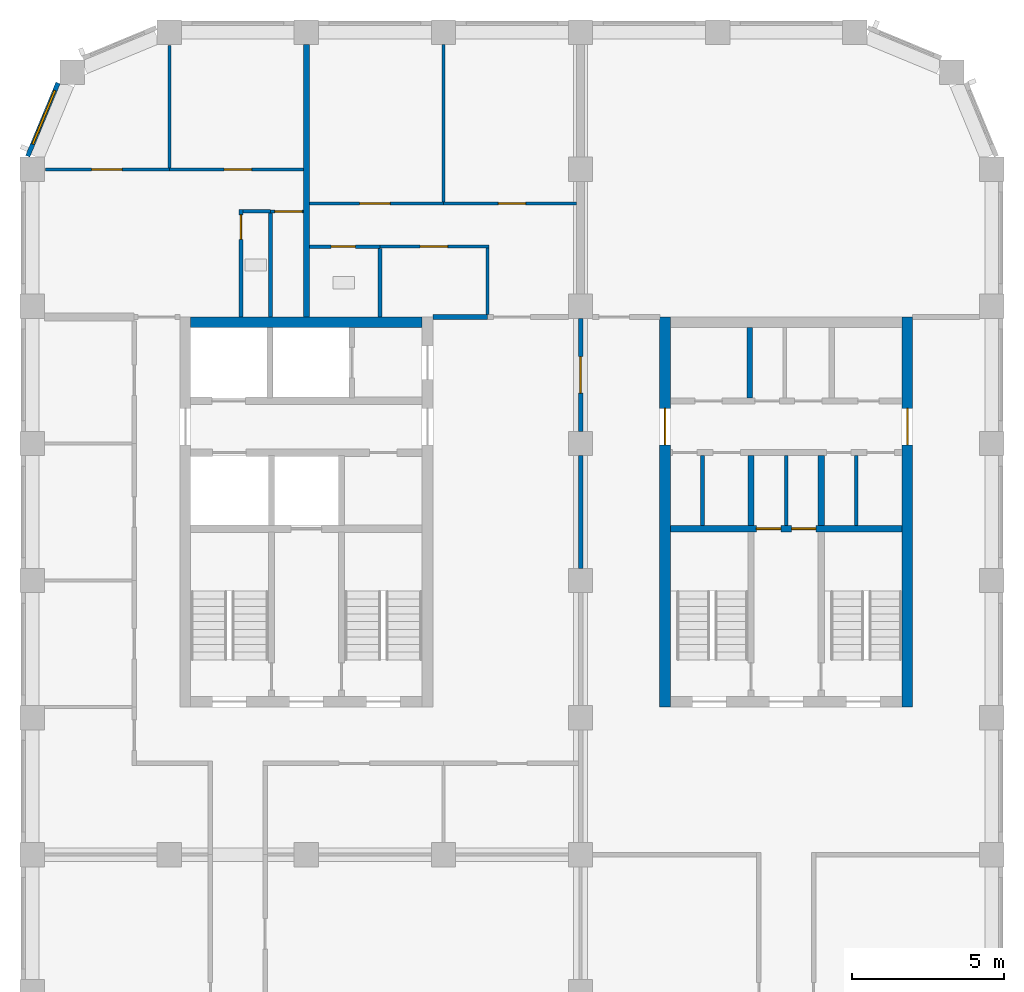
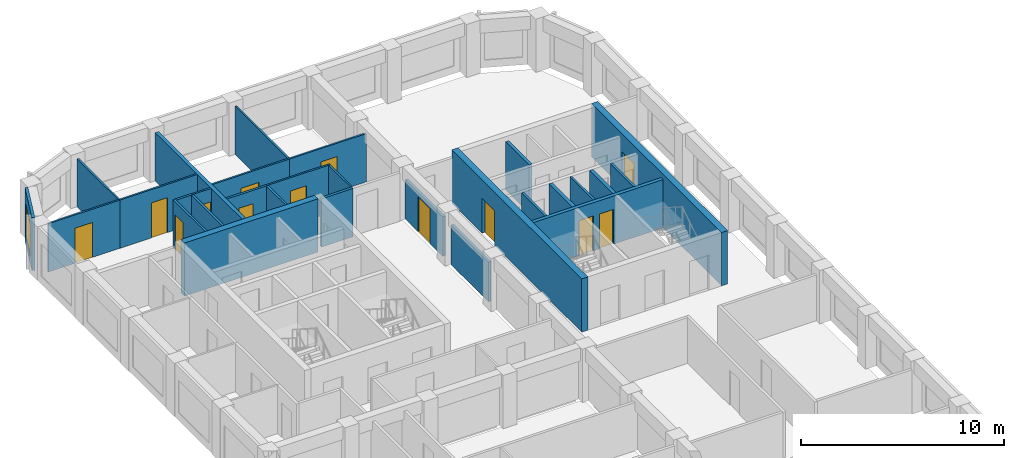
# One storey, part 6 of 10: 29 walls, 13 doors, 1 window, 14 openings.
"""IFC4 building model written with IfcOpenShell, lengths in metres."""

from ifc_helpers import new_model, si_unit, direction, frame, frame_2d, origin, place, context, subcontext, project, spatial, rectangle, extrude, material, layer, layer_set, type_object, element, fill, save


model = new_model("IFC4")

# Units and contexts
model_context = context("Model", 3, precision=1e-05, world=origin(), true_north=direction((0.0, 1.0)))
body_context = subcontext(model_context, "Body", "Model", "MODEL_VIEW")
ifc_project = project(units=[si_unit("LENGTHUNIT", "METRE"), si_unit("AREAUNIT", "SQUARE_METRE"), si_unit("VOLUMEUNIT", "CUBIC_METRE"), si_unit("PLANEANGLEUNIT", "RADIAN"), si_unit("MASSUNIT", "GRAM", prefix="KILO")], contexts=[model_context])

# Site, building, storey
site_placement = place(None, origin())
site = spatial("IfcSite", under=ifc_project, at=site_placement, CompositionType="ELEMENT")
building_placement = place(site_placement, origin())
building = spatial("IfcBuilding", under=site, at=building_placement, Name="Girih Gate Residences", CompositionType="ELEMENT")
storey_placement = place(building_placement, frame((0.0, 0.0, 229.294921875)))
storey = spatial("IfcBuildingStorey", under=building, at=storey_placement, Name="L64", CompositionType="ELEMENT", Elevation=229.294921875)

# Walls
ifc_material_1 = material(Name="Gypsum board on steel studs", Category="steel")
ifc_layer_1 = layer(ifc_material_1, 0.14990234375)
ifc_layer_set_1 = layer_set([ifc_layer_1], Name="Compartment wall 150 mm")
wall_type_1 = type_object("IfcWallType", Name="Compartment wall 150 mm", PredefinedType="PARTITIONING", material=ifc_layer_set_1)
wall_1_placement = place(storey_placement, frame((13.14990234375, 40.14990234375, 0.0), z_axis=(0.0, 0.0, 1.0), x_axis=(1.0, 0.0, 0.0)))
element("IfcWall", 1, at=wall_1_placement, inside=storey, type_object=wall_type_1, Name="L64 partition", PredefinedType="PARTITIONING", context=body_context, shape_type="SweptSolid", body=[
    extrude(rectangle(XDim=1.800048828125, YDim=0.14990234375, at=frame_2d((0.89990234375, 0.0))), origin(), (0.0, 0.0, 1.0), 2.900146484375),
])
wall_2_placement = place(storey_placement, frame((18.0, 31.89990234375, 0.0), z_axis=(0.0, 0.0, 1.0), x_axis=(0.0, 1.0, 0.0)))
element("IfcWall", 2, at=wall_2_placement, inside=storey, type_object=wall_type_1, Name="L64 partition", PredefinedType="PARTITIONING", context=body_context, shape_type="SweptSolid", body=[
    extrude(rectangle(XDim=3.7001953125, YDim=0.14990234375, at=frame_2d((1.85009765625, 0.0))), origin(), (0.0, 0.0, 1.0), 2.380126953125),
])

# Wall, opening, door
wall_3_placement = place(storey_placement, frame((18.0, 40.10009765625, 0.0), z_axis=(0.0, 0.0, 1.0), x_axis=(0.0, -1.0, 0.0)))
wall_3 = element("IfcWall", 3, at=wall_3_placement, inside=storey, type_object=wall_type_1, Name="L64 partition", PredefinedType="PARTITIONING", context=body_context, shape_type="SweptSolid", body=[
    extrude(rectangle(XDim=3.7001953125, YDim=0.14990234375, at=frame_2d((1.85009765625, 0.0))), origin(), (0.0, 0.0, 1.0), 2.380126953125),
])
opening_1_placement = place(wall_3_placement, frame((1.25, 0.0, 0.0)))
opening_1 = element("IfcOpeningElement", 4, at=opening_1_placement, cuts=wall_3, Name="Opening A64-026", PredefinedType="OPENING", context=body_context, shape_type="SweptSolid", body=[
    extrude(rectangle(XDim=1.199951171875, YDim=2.10009765625, at=frame_2d((0.60009765625, 1.050048828125))), frame((0.0, 0.0849609375, 0.0), z_axis=(0.0, -1.0, 0.0), x_axis=(1.0, 0.0, 0.0)), (0.0, 0.0, 1.0), 0.169921875),
])
ifc_material_2 = material(Name="Timber, fire-rated core", Category="wood")
door_type_1 = type_object("IfcDoorType", Name="Corridor fire door 1200x2100 FD30S", OperationType="NOTDEFINED", PredefinedType="DOOR", material=ifc_material_2)
door_1_placement = place(opening_1_placement, origin())
door_1 = element("IfcDoor", 5, at=door_1_placement, inside=storey, type_object=door_type_1, Name="Door A64-026", OperationType="SINGLE_SWING_LEFT", OverallHeight=2.10009765625, OverallWidth=1.199951171875, PredefinedType="DOOR", context=body_context, shape_type="SweptSolid", body=[
    extrude(rectangle(XDim=1.199951171875, YDim=2.10009765625, at=frame_2d((0.60009765625, 1.050048828125))), frame((0.0, 0.02490234375, 0.0), z_axis=(0.0, -1.0, 0.0), x_axis=(1.0, 0.0, 0.0)), (0.0, 0.0, 1.0), 0.050048828125),
])
fill(opening_1, door_1)

# Wall
ifc_material_3 = material(Name="Concrete C60/75", Category="concrete")
ifc_layer_2 = layer(ifc_material_3, 0.35009765625)
ifc_layer_set_2 = layer_set([ifc_layer_2], Name="Core wall RC 350 Concrete C60/75")
wall_type_2 = type_object("IfcWallType", Name="Core wall RC 350 Concrete C60/75", PredefinedType="SOLIDWALL", material=ifc_layer_set_2)
wall_4_placement = place(storey_placement, frame((5.199951171875, 39.97509765625, 0.0), z_axis=(0.0, 0.0, 1.0), x_axis=(1.0, 0.0, 0.0)))
element("IfcWall", 6, at=wall_4_placement, inside=storey, type_object=wall_type_2, Name="Core wall W-N L64", PredefinedType="SOLIDWALL", context=body_context, shape_type="SweptSolid", body=[
    extrude(rectangle(XDim=7.60009765625, YDim=0.35009765625, at=frame_2d((3.800048828125, 0.0))), origin(), (0.0, 0.0, 1.0), 3.2001953125),
])

# Wall, opening, door
ifc_layer_3 = layer(ifc_material_1, 0.10009765625)
ifc_layer_set_3 = layer_set([ifc_layer_3], Name="Partition 100 mm")
wall_type_3 = type_object("IfcWallType", Name="Partition 100 mm", PredefinedType="PARTITIONING", material=ifc_layer_set_3)
wall_5_placement = place(storey_placement, frame((4.5, 45.0, 0.0), z_axis=(0.0, 0.0, 1.0), x_axis=(1.0, 0.0, 0.0)))
wall_5 = element("IfcWall", 7, at=wall_5_placement, inside=storey, type_object=wall_type_3, Name="L64 partition", PredefinedType="PARTITIONING", context=body_context, shape_type="SweptSolid", body=[
    extrude(rectangle(XDim=4.39990234375, YDim=0.10009765625, at=frame_2d((2.199951171875, 0.0))), origin(), (0.0, 0.0, 1.0), 2.900146484375),
])
opening_2_placement = place(wall_5_placement, frame((1.800048828125, 0.0, 0.0)))
opening_2 = element("IfcOpeningElement", 8, at=opening_2_placement, cuts=wall_5, Name="Opening A64-009", PredefinedType="OPENING", context=body_context, shape_type="SweptSolid", body=[
    extrude(rectangle(XDim=0.89990234375, YDim=2.10009765625, at=frame_2d((0.449951171875, 1.050048828125))), frame((0.0, 0.06005859375, 0.0), z_axis=(0.0, -1.0, 0.0), x_axis=(1.0, 0.0, 0.0)), (0.0, 0.0, 1.0), 0.1201171875),
])
ifc_material_4 = material(Name="Timber", Category="wood")
door_type_2 = type_object("IfcDoorType", Name="Bedroom door 900x2100", OperationType="NOTDEFINED", PredefinedType="DOOR", material=ifc_material_4)
door_2_placement = place(opening_2_placement, origin())
door_2 = element("IfcDoor", 9, at=door_2_placement, inside=storey, type_object=door_type_2, Name="Door A64-009", OperationType="SINGLE_SWING_RIGHT", OverallHeight=2.10009765625, OverallWidth=0.89990234375, PredefinedType="DOOR", context=body_context, shape_type="SweptSolid", body=[
    extrude(rectangle(XDim=0.89990234375, YDim=2.10009765625, at=frame_2d((0.449951171875, 1.050048828125))), frame((0.0, 0.02490234375, 0.0), z_axis=(0.0, -1.0, 0.0), x_axis=(1.0, 0.0, 0.0)), (0.0, 0.0, 1.0), 0.050048828125),
])
fill(opening_2, door_2)

# Wall
wall_6_placement = place(storey_placement, frame((4.5, 45.050048828125, 0.0), z_axis=(0.0, 0.0, 1.0), x_axis=(0.0, 1.0, 0.0)))
element("IfcWall", 10, at=wall_6_placement, inside=storey, type_object=wall_type_3, Name="L64 partition", PredefinedType="PARTITIONING", context=body_context, shape_type="SweptSolid", body=[
    extrude(rectangle(XDim=4.01708984375, YDim=0.10009765625, at=frame_2d((2.008544921875, 0.0))), origin(), (0.0, 0.0, 1.0), 2.900146484375),
])

# Wall, opening, door
wall_7_placement = place(storey_placement, frame((8.89990234375, 43.6201171875, 0.0), z_axis=(0.0, 0.0, 1.0), x_axis=(-1.0, 0.0, 0.0)))
wall_7 = element("IfcWall", 11, at=wall_7_placement, inside=storey, type_object=wall_type_3, Name="L64 partition", PredefinedType="PARTITIONING", context=body_context, shape_type="SweptSolid", body=[
    extrude(rectangle(XDim=1.072509765625, YDim=0.10009765625, at=frame_2d((0.5361328125, 0.0))), origin(), (0.0, 0.0, 1.0), 2.900146484375),
])
opening_3_placement = place(wall_7_placement, frame((0.036376953125, 0.0, 0.0)))
opening_3 = element("IfcOpeningElement", 12, at=opening_3_placement, cuts=wall_7, Name="Opening A64-010", PredefinedType="OPENING", context=body_context, shape_type="SweptSolid", body=[
    extrude(rectangle(XDim=0.89990234375, YDim=2.10009765625, at=frame_2d((0.449951171875, 1.050048828125))), frame((0.0, 0.06005859375, 0.0), z_axis=(0.0, -1.0, 0.0), x_axis=(1.0, 0.0, 0.0)), (0.0, 0.0, 1.0), 0.1201171875),
])
door_type_3 = type_object("IfcDoorType", Name="Kitchen door 900x2100", OperationType="NOTDEFINED", PredefinedType="DOOR", material=ifc_material_4)
door_3_placement = place(opening_3_placement, origin())
door_3 = element("IfcDoor", 13, at=door_3_placement, inside=storey, type_object=door_type_3, Name="Door A64-010", OperationType="SINGLE_SWING_LEFT", OverallHeight=2.10009765625, OverallWidth=0.89990234375, PredefinedType="DOOR", context=body_context, shape_type="SweptSolid", body=[
    extrude(rectangle(XDim=0.89990234375, YDim=2.10009765625, at=frame_2d((0.449951171875, 1.050048828125))), frame((0.0, 0.02490234375, 0.0), z_axis=(0.0, -1.0, 0.0), x_axis=(1.0, 0.0, 0.0)), (0.0, 0.0, 1.0), 0.050048828125),
])
fill(opening_3, door_3)

wall_8_placement = place(storey_placement, frame((0.432861328125, 45.0, 0.0), z_axis=(0.0, 0.0, 1.0), x_axis=(1.0, 0.0, 0.0)))
wall_8 = element("IfcWall", 14, at=wall_8_placement, inside=storey, type_object=wall_type_3, Name="L64 partition", PredefinedType="PARTITIONING", context=body_context, shape_type="SweptSolid", body=[
    extrude(rectangle(XDim=4.067138671875, YDim=0.10009765625, at=frame_2d((2.03369140625, 0.0))), origin(), (0.0, 0.0, 1.0), 2.900146484375),
])
opening_4_placement = place(wall_8_placement, frame((1.51708984375, 0.0, 0.0)))
opening_4 = element("IfcOpeningElement", 15, at=opening_4_placement, cuts=wall_8, Name="Opening A64-011", PredefinedType="OPENING", context=body_context, shape_type="SweptSolid", body=[
    extrude(rectangle(XDim=1.0, YDim=2.10009765625, at=frame_2d((0.5, 1.050048828125))), frame((0.0, 0.06005859375, 0.0), z_axis=(0.0, -1.0, 0.0), x_axis=(1.0, 0.0, 0.0)), (0.0, 0.0, 1.0), 0.1201171875),
])
door_type_4 = type_object("IfcDoorType", Name="Living room door 1000x2100", OperationType="NOTDEFINED", PredefinedType="DOOR", material=ifc_material_4)
door_4_placement = place(opening_4_placement, origin())
door_4 = element("IfcDoor", 16, at=door_4_placement, inside=storey, type_object=door_type_4, Name="Door A64-011", OperationType="SINGLE_SWING_LEFT", OverallHeight=2.10009765625, OverallWidth=1.0, PredefinedType="DOOR", context=body_context, shape_type="SweptSolid", body=[
    extrude(rectangle(XDim=1.0, YDim=2.10009765625, at=frame_2d((0.5, 1.050048828125))), frame((0.0, 0.02490234375, 0.0), z_axis=(0.0, -1.0, 0.0), x_axis=(1.0, 0.0, 0.0)), (0.0, 0.0, 1.0), 0.050048828125),
])
fill(opening_4, door_4)

wall_9_placement = place(storey_placement, frame((13.5, 43.8798828125, 0.0), z_axis=(0.0, 0.0, 1.0), x_axis=(1.0, 0.0, 0.0)))
wall_9 = element("IfcWall", 17, at=wall_9_placement, inside=storey, type_object=wall_type_3, Name="L64 partition", PredefinedType="PARTITIONING", context=body_context, shape_type="SweptSolid", body=[
    extrude(rectangle(XDim=4.375, YDim=0.10009765625, at=frame_2d((2.1875, 0.0))), origin(), (0.0, 0.0, 1.0), 2.900146484375),
])
opening_5_placement = place(wall_9_placement, frame((1.800048828125, 0.0, 0.0)))
opening_5 = element("IfcOpeningElement", 18, at=opening_5_placement, cuts=wall_9, Name="Opening A64-014", PredefinedType="OPENING", context=body_context, shape_type="SweptSolid", body=[
    extrude(rectangle(XDim=0.89990234375, YDim=2.10009765625, at=frame_2d((0.449951171875, 1.050048828125))), frame((0.0, 0.06005859375, 0.0), z_axis=(0.0, -1.0, 0.0), x_axis=(1.0, 0.0, 0.0)), (0.0, 0.0, 1.0), 0.1201171875),
])
door_5_placement = place(opening_5_placement, origin())
door_5 = element("IfcDoor", 19, at=door_5_placement, inside=storey, type_object=door_type_2, Name="Door A64-014", OperationType="SINGLE_SWING_RIGHT", OverallHeight=2.10009765625, OverallWidth=0.89990234375, PredefinedType="DOOR", context=body_context, shape_type="SweptSolid", body=[
    extrude(rectangle(XDim=0.89990234375, YDim=2.10009765625, at=frame_2d((0.449951171875, 1.050048828125))), frame((0.0, 0.02490234375, 0.0), z_axis=(0.0, -1.0, 0.0), x_axis=(1.0, 0.0, 0.0)), (0.0, 0.0, 1.0), 0.050048828125),
])
fill(opening_5, door_5)

# Walls
wall_10_placement = place(storey_placement, frame((13.5, 43.929931640625, 0.0), z_axis=(0.0, 0.0, 1.0), x_axis=(0.0, 1.0, 0.0)))
element("IfcWall", 20, at=wall_10_placement, inside=storey, type_object=wall_type_3, Name="L64 partition", PredefinedType="PARTITIONING", context=body_context, shape_type="SweptSolid", body=[
    extrude(rectangle(XDim=5.170166015625, YDim=0.10009765625, at=frame_2d((2.5849609375, 0.0))), origin(), (0.0, 0.0, 1.0), 2.900146484375),
])
wall_11_placement = place(storey_placement, frame((14.949951171875, 40.22509765625, 0.0), z_axis=(0.0, 0.0, 1.0), x_axis=(0.0, 1.0, 0.0)))
element("IfcWall", 21, at=wall_11_placement, inside=storey, type_object=wall_type_3, Name="L64 partition", PredefinedType="PARTITIONING", context=body_context, shape_type="SweptSolid", body=[
    extrude(rectangle(XDim=2.184814453125, YDim=0.10009765625, at=frame_2d((1.09228515625, 0.0))), origin(), (0.0, 0.0, 1.0), 2.900146484375),
])

# Wall, opening, door
wall_12_placement = place(storey_placement, frame((15.0, 42.4599609375, 0.0), z_axis=(0.0, 0.0, 1.0), x_axis=(-1.0, 0.0, 0.0)))
wall_12 = element("IfcWall", 22, at=wall_12_placement, inside=storey, type_object=wall_type_3, Name="L64 partition", PredefinedType="PARTITIONING", context=body_context, shape_type="SweptSolid", body=[
    extrude(rectangle(XDim=3.581787109375, YDim=0.10009765625, at=frame_2d((1.791015625, 0.0))), origin(), (0.0, 0.0, 1.0), 2.900146484375),
])
opening_6_placement = place(wall_12_placement, frame((1.365966796875, 0.0, 0.0)))
opening_6 = element("IfcOpeningElement", 23, at=opening_6_placement, cuts=wall_12, Name="Opening A64-015", PredefinedType="OPENING", context=body_context, shape_type="SweptSolid", body=[
    extrude(rectangle(XDim=0.89990234375, YDim=2.10009765625, at=frame_2d((0.449951171875, 1.050048828125))), frame((0.0, 0.06005859375, 0.0), z_axis=(0.0, -1.0, 0.0), x_axis=(1.0, 0.0, 0.0)), (0.0, 0.0, 1.0), 0.1201171875),
])
door_6_placement = place(opening_6_placement, origin())
door_6 = element("IfcDoor", 24, at=door_6_placement, inside=storey, type_object=door_type_3, Name="Door A64-015", OperationType="SINGLE_SWING_RIGHT", OverallHeight=2.10009765625, OverallWidth=0.89990234375, PredefinedType="DOOR", context=body_context, shape_type="SweptSolid", body=[
    extrude(rectangle(XDim=0.89990234375, YDim=2.10009765625, at=frame_2d((0.449951171875, 1.050048828125))), frame((0.0, 0.02490234375, 0.0), z_axis=(0.0, -1.0, 0.0), x_axis=(1.0, 0.0, 0.0)), (0.0, 0.0, 1.0), 0.050048828125),
])
fill(opening_6, door_6)

wall_13_placement = place(storey_placement, frame((9.10009765625, 43.8798828125, 0.0), z_axis=(0.0, 0.0, 1.0), x_axis=(1.0, 0.0, 0.0)))
wall_13 = element("IfcWall", 25, at=wall_13_placement, inside=storey, type_object=wall_type_3, Name="L64 partition", PredefinedType="PARTITIONING", context=body_context, shape_type="SweptSolid", body=[
    extrude(rectangle(XDim=4.39990234375, YDim=0.10009765625, at=frame_2d((2.199951171875, 0.0))), origin(), (0.0, 0.0, 1.0), 2.900146484375),
])
opening_7_placement = place(wall_13_placement, frame((1.64990234375, 0.0, 0.0)))
opening_7 = element("IfcOpeningElement", 26, at=opening_7_placement, cuts=wall_13, Name="Opening A64-016", PredefinedType="OPENING", context=body_context, shape_type="SweptSolid", body=[
    extrude(rectangle(XDim=1.0, YDim=2.10009765625, at=frame_2d((0.5, 1.050048828125))), frame((0.0, 0.06005859375, 0.0), z_axis=(0.0, -1.0, 0.0), x_axis=(1.0, 0.0, 0.0)), (0.0, 0.0, 1.0), 0.1201171875),
])
door_7_placement = place(opening_7_placement, origin())
door_7 = element("IfcDoor", 27, at=door_7_placement, inside=storey, type_object=door_type_4, Name="Door A64-016", OperationType="SINGLE_SWING_LEFT", OverallHeight=2.10009765625, OverallWidth=1.0, PredefinedType="DOOR", context=body_context, shape_type="SweptSolid", body=[
    extrude(rectangle(XDim=1.0, YDim=2.10009765625, at=frame_2d((0.5, 1.050048828125))), frame((0.0, 0.02490234375, 0.0), z_axis=(0.0, -1.0, 0.0), x_axis=(1.0, 0.0, 0.0)), (0.0, 0.0, 1.0), 0.050048828125),
])
fill(opening_7, door_7)

# Wall
ifc_layer_4 = layer(ifc_material_1, 0.199951171875)
ifc_layer_set_4 = layer_set([ifc_layer_4], Name="Party wall 200 mm")
wall_type_4 = type_object("IfcWallType", Name="Party wall 200 mm", PredefinedType="PARTITIONING", material=ifc_layer_set_4)
wall_14_placement = place(storey_placement, frame((9.0, 40.14990234375, 0.0), z_axis=(0.0, 0.0, 1.0), x_axis=(0.0, 1.0, 0.0)))
element("IfcWall", 28, at=wall_14_placement, inside=storey, type_object=wall_type_4, Name="L64 partition", PredefinedType="PARTITIONING", context=body_context, shape_type="SweptSolid", body=[
    extrude(rectangle(XDim=8.9501953125, YDim=0.199951171875, at=frame_2d((4.47509765625, 0.0))), origin(), (0.0, 0.0, 1.0), 2.900146484375),
])

# Wall, opening, window
ifc_material_5 = material(Name="Precast concrete C50/60", Category="concrete")
ifc_layer_5 = layer(ifc_material_5, 0.050048828125, Name="Outer leaf")
ifc_material_6 = material(Name="Rigid PIR insulation")
ifc_layer_6 = layer(ifc_material_6, 0.06005859375, Name="Insulation")
ifc_material_7 = material(Name="Precast concrete C40/50", Category="concrete")
ifc_layer_7 = layer(ifc_material_7, 0.0400390625, Name="Inner leaf")
ifc_layer_set_5 = layer_set([ifc_layer_5, ifc_layer_6, ifc_layer_7], Name="Precast concrete C50/60 external wall 150")
wall_type_5 = type_object("IfcWallType", Name="Precast concrete C50/60 external wall 150", PredefinedType="SOLIDWALL", material=ifc_layer_set_5)
wall_15_placement = place(storey_placement, frame((-0.147216796875, 45.4287109375, 0.0), z_axis=(0.0, 0.0, 1.0), x_axis=(0.382669406082, 0.923885342263, 0.0)))
wall_15 = element("IfcWall", 29, at=wall_15_placement, inside=storey, type_object=wall_type_5, Name="External wall NW0013_0482.0", PredefinedType="SOLIDWALL", context=body_context, shape_type="SweptSolid", body=[
    extrude(rectangle(XDim=2.602294921875, YDim=0.14990234375, at=frame_2d((1.30126953125, 0.0))), origin(), (0.0, 0.0, 1.0), 3.2001953125),
])
opening_8_placement = place(wall_15_placement, frame((0.432373046875, 0.0, 0.449951171875)))
opening_8 = element("IfcOpeningElement", 30, at=opening_8_placement, cuts=wall_15, Name="Opening W-2G", PredefinedType="OPENING", context=body_context, shape_type="SweptSolid", body=[
    extrude(rectangle(XDim=1.89990234375, YDim=1.949951171875, at=frame_2d((0.949951171875, 0.97509765625))), frame((0.0, 0.0849609375, 0.0), z_axis=(0.0, -1.0, 0.0), x_axis=(1.0, 0.0, 0.0)), (0.0, 0.0, 1.0), 0.169921875),
])
ifc_material_8 = material(Name="Double glazing in aluminium frame", Category="aluminium")
window_type = type_object("IfcWindowType", Name="Window W-2G 1900x1950", PartitioningType="SINGLE_PANEL", PredefinedType="WINDOW", material=ifc_material_8)
window_placement = place(opening_8_placement, origin())
window = element("IfcWindow", 31, at=window_placement, inside=storey, type_object=window_type, Name="Window W-2G NW0013_0482.0", OverallHeight=1.949951171875, OverallWidth=1.89990234375, PartitioningType="SINGLE_PANEL", PredefinedType="WINDOW", context=body_context, shape_type="SweptSolid", body=[
    extrude(rectangle(XDim=1.89990234375, YDim=1.949951171875, at=frame_2d((0.949951171875, 0.97509765625))), frame((0.0, 0.030029296875, 0.0), z_axis=(0.0, -1.0, 0.0), x_axis=(1.0, 0.0, 0.0)), (0.0, 0.0, 1.0), 0.06005859375),
])
fill(opening_8, window)

# Wall
ifc_material_9 = material(Name="Concrete C40/50", Category="concrete")
ifc_layer_8 = layer(ifc_material_9, 0.175048828125)
ifc_layer_set_6 = layer_set([ifc_layer_8], Name="Riser shaft wall 175")
wall_type_6 = type_object("IfcWallType", Name="Riser shaft wall 175", PredefinedType="SOLIDWALL", material=ifc_layer_set_6)
wall_16_placement = place(storey_placement, frame((23.550048828125, 37.5, 0.0), z_axis=(0.0, 0.0, 1.0), x_axis=(0.0, 1.0, 0.0)))
element("IfcWall", 32, at=wall_16_placement, inside=storey, type_object=wall_type_6, Name="L64 C core wall V1c", PredefinedType="SOLIDWALL", context=body_context, shape_type="SweptSolid", body=[
    extrude(rectangle(XDim=2.300048828125, YDim=0.175048828125, at=frame_2d((1.14990234375, 0.0))), origin(), (0.0, 0.0, 1.0), 2.900146484375),
])

# Wall, openings, doors
ifc_layer_9 = layer(ifc_material_9, 0.199951171875)
ifc_layer_set_7 = layer_set([ifc_layer_9], Name="Shaft wall 200")
wall_type_7 = type_object("IfcWallType", Name="Shaft wall 200", PredefinedType="SOLIDWALL", material=ifc_layer_set_7)
wall_17_placement = place(storey_placement, frame((20.949951171875, 33.199951171875, 0.0), z_axis=(0.0, 0.0, 1.0), x_axis=(1.0, 0.0, 0.0)))
wall_17 = element("IfcWall", 33, at=wall_17_placement, inside=storey, type_object=wall_type_7, Name="L64 C core wall H1", PredefinedType="SOLIDWALL", context=body_context, shape_type="SweptSolid", body=[
    extrude(rectangle(XDim=7.60009765625, YDim=0.199951171875, at=frame_2d((3.800048828125, 0.0))), origin(), (0.0, 0.0, 1.0), 2.900146484375),
])
opening_9_placement = place(wall_17_placement, frame((2.824951171875, 0.0, 0.0)))
opening_9 = element("IfcOpeningElement", 34, at=opening_9_placement, cuts=wall_17, Name="Opening D-L64-C-011", PredefinedType="OPENING", context=body_context, shape_type="SweptSolid", body=[
    extrude(rectangle(XDim=0.800048828125, YDim=2.10009765625, at=frame_2d((0.39990234375, 1.050048828125))), frame((0.0, 0.10986328125, 0.0), z_axis=(0.0, -1.0, 0.0), x_axis=(1.0, 0.0, 0.0)), (0.0, 0.0, 1.0), 0.219970703125),
])
opening_10_placement = place(wall_17_placement, frame((3.97509765625, 0.0, 0.0)))
opening_10 = element("IfcOpeningElement", 35, at=opening_10_placement, cuts=wall_17, Name="Opening D-L64-C-012", PredefinedType="OPENING", context=body_context, shape_type="SweptSolid", body=[
    extrude(rectangle(XDim=0.800048828125, YDim=2.10009765625, at=frame_2d((0.39990234375, 1.050048828125))), frame((0.0, 0.10986328125, 0.0), z_axis=(0.0, -1.0, 0.0), x_axis=(1.0, 0.0, 0.0)), (0.0, 0.0, 1.0), 0.219970703125),
])
ifc_material_10 = material(Name="Painted steel, fire-resisting", Category="steel")
door_type_5 = type_object("IfcDoorType", Name="Fire door 800x2100", OperationType="SINGLE_SWING_LEFT", PredefinedType="DOOR", material=ifc_material_10)
door_8_placement = place(opening_9_placement, origin())
door_8 = element("IfcDoor", 36, at=door_8_placement, inside=storey, type_object=door_type_5, Name="L64 C comms room door", OperationType="SINGLE_SWING_LEFT", OverallHeight=2.10009765625, OverallWidth=0.800048828125, PredefinedType="DOOR", context=body_context, shape_type="SweptSolid", body=[
    extrude(rectangle(XDim=0.800048828125, YDim=2.10009765625, at=frame_2d((0.39990234375, 1.050048828125))), frame((0.0, 0.02490234375, 0.0), z_axis=(0.0, -1.0, 0.0), x_axis=(1.0, 0.0, 0.0)), (0.0, 0.0, 1.0), 0.050048828125),
])
fill(opening_9, door_8)
door_9_placement = place(opening_10_placement, origin())
door_9 = element("IfcDoor", 37, at=door_9_placement, inside=storey, type_object=door_type_5, Name="L64 C it room door", OperationType="SINGLE_SWING_LEFT", OverallHeight=2.10009765625, OverallWidth=0.800048828125, PredefinedType="DOOR", context=body_context, shape_type="SweptSolid", body=[
    extrude(rectangle(XDim=0.800048828125, YDim=2.10009765625, at=frame_2d((0.39990234375, 1.050048828125))), frame((0.0, 0.02490234375, 0.0), z_axis=(0.0, -1.0, 0.0), x_axis=(1.0, 0.0, 0.0)), (0.0, 0.0, 1.0), 0.050048828125),
])
fill(opening_10, door_9)

# Walls
for number, where, z_axis, x_axis, name in (
    (38, (23.60009765625, 33.300048828125, 0.0), (0.0, 0.0, 1.0), (0.0, 1.0, 0.0), "L64 C core wall V1b"),
    (39, (25.89990234375, 33.300048828125, 0.0), (0.0, 0.0, 1.0), (0.0, 1.0, 0.0), "L64 C core wall V2b"),
):
    element("IfcWall", number, at=place(storey_placement, frame(where, z_axis=z_axis, x_axis=x_axis)), inside=storey, type_object=wall_type_7, Name=name, PredefinedType="SOLIDWALL", context=body_context, shape_type="SweptSolid", body=[
        extrude(rectangle(XDim=2.300048828125, YDim=0.199951171875, at=frame_2d((1.14990234375, 0.0))), origin(), (0.0, 0.0, 1.0), 2.900146484375),
    ])

# Wall, opening, door
ifc_layer_10 = layer(ifc_material_9, 0.35009765625)
ifc_layer_set_8 = layer_set([ifc_layer_10], Name="Stair core wall RC 350 Concrete C40/50")
wall_type_8 = type_object("IfcWallType", Name="Stair core wall RC 350 Concrete C40/50", PredefinedType="SOLIDWALL", material=ifc_layer_set_8)
wall_18_placement = place(storey_placement, frame((20.77490234375, 27.35009765625, 0.0), z_axis=(0.0, 0.0, 1.0), x_axis=(0.0, 1.0, 0.0)))
wall_18 = element("IfcWall", 40, at=wall_18_placement, inside=storey, type_object=wall_type_8, Name="Stair core wall C-W L64", PredefinedType="SOLIDWALL", context=body_context, shape_type="SweptSolid", body=[
    extrude(rectangle(XDim=12.7998046875, YDim=0.35009765625, at=frame_2d((6.39990234375, 0.0))), origin(), (0.0, 0.0, 1.0), 3.2001953125),
])
opening_11_placement = place(wall_18_placement, frame((8.60009765625, 0.0, 0.0)))
opening_11 = element("IfcOpeningElement", 41, at=opening_11_placement, cuts=wall_18, Name="Opening D-L64-C-016", PredefinedType="OPENING", context=body_context, shape_type="SweptSolid", body=[
    extrude(rectangle(XDim=1.199951171875, YDim=2.10009765625, at=frame_2d((0.60009765625, 1.050048828125))), frame((0.0, 0.18505859375, 0.0), z_axis=(0.0, -1.0, 0.0), x_axis=(1.0, 0.0, 0.0)), (0.0, 0.0, 1.0), 0.3701171875),
])
door_type_6 = type_object("IfcDoorType", Name="Fire door 1200x2100", OperationType="SINGLE_SWING_LEFT", PredefinedType="DOOR", material=ifc_material_10)
door_10_placement = place(opening_11_placement, origin())
door_10 = element("IfcDoor", 42, at=door_10_placement, inside=storey, type_object=door_type_6, Name="L64 C core door ll-w", OperationType="SINGLE_SWING_LEFT", OverallHeight=2.10009765625, OverallWidth=1.199951171875, PredefinedType="DOOR", context=body_context, shape_type="SweptSolid", body=[
    extrude(rectangle(XDim=1.199951171875, YDim=2.10009765625, at=frame_2d((0.60009765625, 1.050048828125))), frame((0.0, 0.02490234375, 0.0), z_axis=(0.0, -1.0, 0.0), x_axis=(1.0, 0.0, 0.0)), (0.0, 0.0, 1.0), 0.050048828125),
])
fill(opening_11, door_10)

wall_19_placement = place(storey_placement, frame((28.72509765625, 27.35009765625, 0.0), z_axis=(0.0, 0.0, 1.0), x_axis=(0.0, 1.0, 0.0)))
wall_19 = element("IfcWall", 43, at=wall_19_placement, inside=storey, type_object=wall_type_8, Name="Stair core wall C-E L64", PredefinedType="SOLIDWALL", context=body_context, shape_type="SweptSolid", body=[
    extrude(rectangle(XDim=12.7998046875, YDim=0.35009765625, at=frame_2d((6.39990234375, 0.0))), origin(), (0.0, 0.0, 1.0), 3.2001953125),
])
opening_12_placement = place(wall_19_placement, frame((8.60009765625, 0.0, 0.0)))
opening_12 = element("IfcOpeningElement", 44, at=opening_12_placement, cuts=wall_19, Name="Opening D-L64-C-017", PredefinedType="OPENING", context=body_context, shape_type="SweptSolid", body=[
    extrude(rectangle(XDim=1.199951171875, YDim=2.10009765625, at=frame_2d((0.60009765625, 1.050048828125))), frame((0.0, 0.18505859375, 0.0), z_axis=(0.0, -1.0, 0.0), x_axis=(1.0, 0.0, 0.0)), (0.0, 0.0, 1.0), 0.3701171875),
])
door_11_placement = place(opening_12_placement, origin())
door_11 = element("IfcDoor", 45, at=door_11_placement, inside=storey, type_object=door_type_6, Name="L64 C core door ll-e", OperationType="SINGLE_SWING_LEFT", OverallHeight=2.10009765625, OverallWidth=1.199951171875, PredefinedType="DOOR", context=body_context, shape_type="SweptSolid", body=[
    extrude(rectangle(XDim=1.199951171875, YDim=2.10009765625, at=frame_2d((0.60009765625, 1.050048828125))), frame((0.0, 0.02490234375, 0.0), z_axis=(0.0, -1.0, 0.0), x_axis=(1.0, 0.0, 0.0)), (0.0, 0.0, 1.0), 0.050048828125),
])
fill(opening_12, door_11)

# Walls
ifc_material_11 = material(Name="Calcium silicate blockwork", Category="masonry")
ifc_layer_11 = layer(ifc_material_11, 0.125)
ifc_layer_set_9 = layer_set([ifc_layer_11], Name="Store partition 125")
wall_type_9 = type_object("IfcWallType", Name="Store partition 125", PredefinedType="PARTITIONING", material=ifc_layer_set_9)
for number, where, z_axis, x_axis, name in (
    (46, (22.0, 33.300048828125, 0.0), (0.0, 0.0, 1.0), (0.0, 1.0, 0.0), "L64 C core wall SHR1"),
    (47, (27.050048828125, 33.300048828125, 0.0), (0.0, 0.0, 1.0), (0.0, 1.0, 0.0), "L64 C core wall SHR2"),
    (48, (24.75, 33.300048828125, 0.0), (0.0, 0.0, 1.0), (0.0, 1.0, 0.0), "L64 C core wall SFFS"),
):
    element("IfcWall", number, at=place(storey_placement, frame(where, z_axis=z_axis, x_axis=x_axis)), inside=storey, type_object=wall_type_9, Name=name, PredefinedType="PARTITIONING", context=body_context, shape_type="SweptSolid", body=[
        extrude(rectangle(XDim=2.300048828125, YDim=0.125, at=frame_2d((1.14990234375, 0.0))), origin(), (0.0, 0.0, 1.0), 2.900146484375),
    ])

# Wall, opening, door
ifc_layer_12 = layer(ifc_material_1, 0.125)
ifc_layer_set_10 = layer_set([ifc_layer_12], Name="Wet room wall 125 mm")
wall_type_10 = type_object("IfcWallType", Name="Wet room wall 125 mm", PredefinedType="PARTITIONING", material=ifc_layer_set_10)
wall_20_placement = place(storey_placement, frame((6.85009765625, 43.6826171875, 0.0), z_axis=(0.0, 0.0, 1.0), x_axis=(0.0, -1.0, 0.0)))
wall_20 = element("IfcWall", 49, at=wall_20_placement, inside=storey, type_object=wall_type_10, Name="L64 partition", PredefinedType="PARTITIONING", context=body_context, shape_type="SweptSolid", body=[
    extrude(rectangle(XDim=3.53271484375, YDim=0.125, at=frame_2d((1.766357421875, 0.0))), origin(), (0.0, 0.0, 1.0), 2.900146484375),
])
opening_13_placement = place(wall_20_placement, frame((0.1826171875, 0.0, 0.0)))
opening_13 = element("IfcOpeningElement", 50, at=opening_13_placement, cuts=wall_20, Name="Opening A64-008", PredefinedType="OPENING", context=body_context, shape_type="SweptSolid", body=[
    extrude(rectangle(XDim=0.800048828125, YDim=2.10009765625, at=frame_2d((0.39990234375, 1.050048828125))), frame((0.0, 0.072509765625, 0.0), z_axis=(0.0, -1.0, 0.0), x_axis=(1.0, 0.0, 0.0)), (0.0, 0.0, 1.0), 0.14501953125),
])
door_type_7 = type_object("IfcDoorType", Name="Bathroom door 800x2100", OperationType="NOTDEFINED", PredefinedType="DOOR", material=ifc_material_4)
door_12_placement = place(opening_13_placement, origin())
door_12 = element("IfcDoor", 51, at=door_12_placement, inside=storey, type_object=door_type_7, Name="Door A64-008", OperationType="SINGLE_SWING_LEFT", OverallHeight=2.10009765625, OverallWidth=0.800048828125, PredefinedType="DOOR", context=body_context, shape_type="SweptSolid", body=[
    extrude(rectangle(XDim=0.800048828125, YDim=2.10009765625, at=frame_2d((0.39990234375, 1.050048828125))), frame((0.0, 0.02490234375, 0.0), z_axis=(0.0, -1.0, 0.0), x_axis=(1.0, 0.0, 0.0)), (0.0, 0.0, 1.0), 0.050048828125),
])
fill(opening_13, door_12)

# Walls
wall_21_placement = place(storey_placement, frame((6.91259765625, 43.6201171875, 0.0), z_axis=(0.0, 0.0, 1.0), x_axis=(1.0, 0.0, 0.0)))
element("IfcWall", 52, at=wall_21_placement, inside=storey, type_object=wall_type_10, Name="L64 partition", PredefinedType="PARTITIONING", context=body_context, shape_type="SweptSolid", body=[
    extrude(rectangle(XDim=0.914794921875, YDim=0.125, at=frame_2d((0.45751953125, 0.0))), origin(), (0.0, 0.0, 1.0), 2.900146484375),
])
wall_22_placement = place(storey_placement, frame((7.826904296875, 40.14990234375, 0.0), z_axis=(0.0, 0.0, 1.0), x_axis=(0.0, 1.0, 0.0)))
element("IfcWall", 53, at=wall_22_placement, inside=storey, type_object=wall_type_10, Name="L64 partition", PredefinedType="PARTITIONING", context=body_context, shape_type="SweptSolid", body=[
    extrude(rectangle(XDim=3.40771484375, YDim=0.125, at=frame_2d((1.703857421875, 0.0))), origin(), (0.0, 0.0, 1.0), 2.900146484375),
])

# Wall, opening, door
wall_23_placement = place(storey_placement, frame((11.418212890625, 42.4599609375, 0.0), z_axis=(0.0, 0.0, 1.0), x_axis=(-1.0, 0.0, 0.0)))
wall_23 = element("IfcWall", 54, at=wall_23_placement, inside=storey, type_object=wall_type_10, Name="L64 partition", PredefinedType="PARTITIONING", context=body_context, shape_type="SweptSolid", body=[
    extrude(rectangle(XDim=2.318115234375, YDim=0.125, at=frame_2d((1.1591796875, 0.0))), origin(), (0.0, 0.0, 1.0), 2.900146484375),
])
opening_14_placement = place(wall_23_placement, frame((0.80908203125, 0.0, 0.0)))
opening_14 = element("IfcOpeningElement", 55, at=opening_14_placement, cuts=wall_23, Name="Opening A64-013", PredefinedType="OPENING", context=body_context, shape_type="SweptSolid", body=[
    extrude(rectangle(XDim=0.800048828125, YDim=2.10009765625, at=frame_2d((0.39990234375, 1.050048828125))), frame((0.0, 0.072509765625, 0.0), z_axis=(0.0, -1.0, 0.0), x_axis=(1.0, 0.0, 0.0)), (0.0, 0.0, 1.0), 0.14501953125),
])
door_13_placement = place(opening_14_placement, origin())
door_13 = element("IfcDoor", 56, at=door_13_placement, inside=storey, type_object=door_type_7, Name="Door A64-013", OperationType="SINGLE_SWING_RIGHT", OverallHeight=2.10009765625, OverallWidth=0.800048828125, PredefinedType="DOOR", context=body_context, shape_type="SweptSolid", body=[
    extrude(rectangle(XDim=0.800048828125, YDim=2.10009765625, at=frame_2d((0.39990234375, 1.050048828125))), frame((0.0, 0.02490234375, 0.0), z_axis=(0.0, -1.0, 0.0), x_axis=(1.0, 0.0, 0.0)), (0.0, 0.0, 1.0), 0.050048828125),
])
fill(opening_14, door_13)

# Wall
wall_24_placement = place(storey_placement, frame((11.41796875, 40.14990234375, 0.0), z_axis=(0.0, 0.0, 1.0), x_axis=(0.0, 1.0, 0.0)))
element("IfcWall", 57, at=wall_24_placement, inside=storey, type_object=wall_type_10, Name="L64 partition", PredefinedType="PARTITIONING", context=body_context, shape_type="SweptSolid", body=[
    extrude(rectangle(XDim=2.24755859375, YDim=0.125, at=frame_2d((1.123779296875, 0.0))), origin(), (0.0, 0.0, 1.0), 2.900146484375),
])

save(model, "model.ifc")
